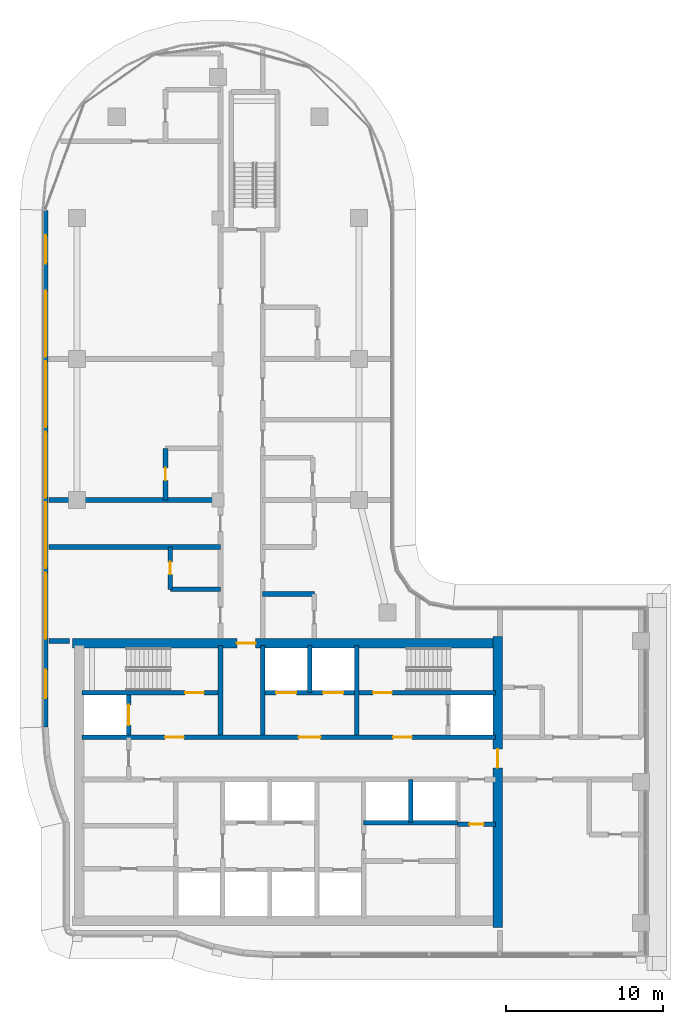
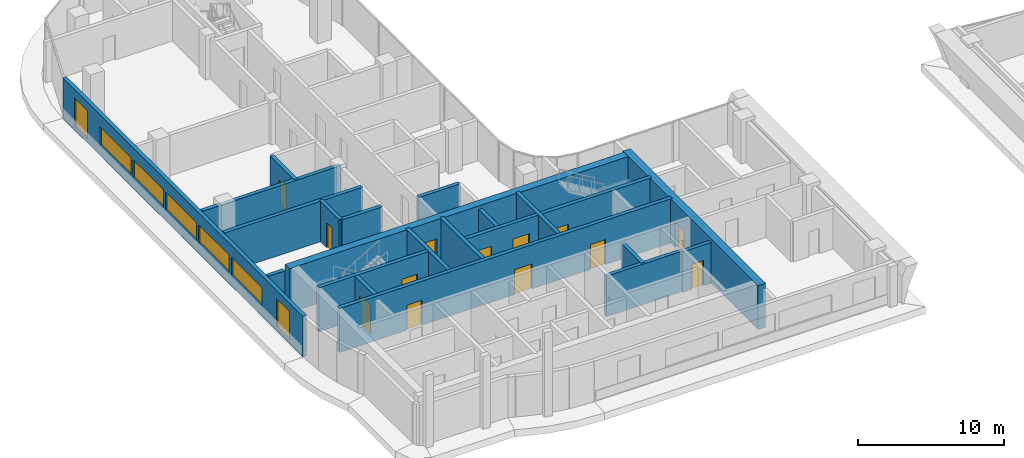
# One storey, part 11 of 26: 21 walls, 13 doors, 7 windows, 20 openings.
"""IFC4 building model written with IfcOpenShell, lengths in metres."""

from ifc_helpers import new_model, si_unit, direction, frame, frame_2d, origin, place, context, subcontext, project, spatial, rectangle, extrude, material, layer, layer_set, type_object, element, fill, save


model = new_model("IFC4")

# Units and contexts
model_context = context("Model", 3, precision=1e-05, world=origin(), true_north=direction((0.0, 1.0)))
body_context = subcontext(model_context, "Body", "Model", "MODEL_VIEW")
ifc_project = project(units=[si_unit("LENGTHUNIT", "METRE"), si_unit("AREAUNIT", "SQUARE_METRE"), si_unit("VOLUMEUNIT", "CUBIC_METRE"), si_unit("PLANEANGLEUNIT", "RADIAN"), si_unit("MASSUNIT", "GRAM", prefix="KILO")], contexts=[model_context])

# Site, building, storey
site_placement = place(None, origin())
site = spatial("IfcSite", under=ifc_project, at=site_placement, CompositionType="ELEMENT")
building_placement = place(site_placement, origin())
building = spatial("IfcBuilding", under=site, at=building_placement, Name="Ogive Portal Towers", CompositionType="ELEMENT")
storey_placement = place(building_placement, frame((0.0, 0.0, 171.800048828125)))
storey = spatial("IfcBuildingStorey", under=building, at=storey_placement, Name="L42", CompositionType="ELEMENT", Elevation=171.800048828125)

# Wall, openings, doors
ifc_material_1 = material(Name="Concrete C60/75", Category="concrete")
ifc_layer_1 = layer(ifc_material_1, 0.300048828125)
ifc_layer_set_1 = layer_set([ifc_layer_1], Name="CORE WALL 300 C60")
wall_type_1 = type_object("IfcWallType", Name="CORE WALL 300 C60", PredefinedType="SHEAR", material=ifc_layer_set_1)
wall_1_placement = place(storey_placement, frame((31.800048828125, 33.35009765625, 0.0), z_axis=(0.0, 0.0, 1.0), x_axis=(1.0, 0.0, 0.0)))
wall_1 = element("IfcWall", 1, at=wall_1_placement, inside=storey, type_object=wall_type_1, Name="Core wall Y2 L42", PredefinedType="SHEAR", context=body_context, shape_type="SweptSolid", body=[
    extrude(rectangle(XDim=26.39990234375, YDim=0.300048828125, at=frame_2d((13.199951171875, 0.0))), origin(), (0.0, 0.0, 1.0), 3.699951171875),
])
opening_1_placement = place(wall_1_placement, frame((13.85009765625, 0.0, 0.0)))
opening_1 = element("IfcOpeningElement", 2, at=opening_1_placement, cuts=wall_1, Name="Opening D17-002", PredefinedType="OPENING", context=body_context, shape_type="SweptSolid", body=[
    extrude(rectangle(XDim=1.39990234375, YDim=2.10009765625, at=frame_2d((0.699951171875, 1.050048828125))), frame((0.0, 0.16015625, 0.0), z_axis=(0.0, -1.0, 0.0), x_axis=(1.0, 0.0, 0.0)), (0.0, 0.0, 1.0), 0.320068359375),
])
opening_2_placement = place(wall_1_placement, frame((5.324951171875, 0.0, 0.0)))
opening_2 = element("IfcOpeningElement", 3, at=opening_2_placement, cuts=wall_1, Name="Opening D17-003", PredefinedType="OPENING", context=body_context, shape_type="SweptSolid", body=[
    extrude(rectangle(XDim=1.199951171875, YDim=2.10009765625, at=frame_2d((0.60009765625, 1.050048828125))), frame((0.0, 0.16015625, 0.0), z_axis=(0.0, -1.0, 0.0), x_axis=(1.0, 0.0, 0.0)), (0.0, 0.0, 1.0), 0.320068359375),
])
opening_3_placement = place(wall_1_placement, frame((19.875, 0.0, 0.0)))
opening_3 = element("IfcOpeningElement", 4, at=opening_3_placement, cuts=wall_1, Name="Opening D17-004", PredefinedType="OPENING", context=body_context, shape_type="SweptSolid", body=[
    extrude(rectangle(XDim=1.199951171875, YDim=2.10009765625, at=frame_2d((0.60009765625, 1.050048828125))), frame((0.0, 0.16015625, 0.0), z_axis=(0.0, -1.0, 0.0), x_axis=(1.0, 0.0, 0.0)), (0.0, 0.0, 1.0), 0.320068359375),
])
ifc_material_2 = material(Name="Steel fire door", Category="steel")
door_type_1 = type_object("IfcDoorType", Name="DT-SWING-1200x2100-FD90S", OperationType="SINGLE_SWING_LEFT", PredefinedType="DOOR", material=ifc_material_2)
door_1_placement = place(opening_2_placement, origin())
door_1 = element("IfcDoor", 5, at=door_1_placement, inside=storey, type_object=door_type_1, Name="Door D17-003", OperationType="SINGLE_SWING_LEFT", OverallHeight=2.10009765625, OverallWidth=1.199951171875, PredefinedType="DOOR", context=body_context, shape_type="SweptSolid", body=[
    extrude(rectangle(XDim=1.199951171875, YDim=2.10009765625, at=frame_2d((0.60009765625, 1.050048828125))), frame((0.0, 0.02490234375, 0.0), z_axis=(0.0, -1.0, 0.0), x_axis=(1.0, 0.0, 0.0)), (0.0, 0.0, 1.0), 0.050048828125),
])
fill(opening_2, door_1)
door_2_placement = place(opening_3_placement, origin())
door_2 = element("IfcDoor", 6, at=door_2_placement, inside=storey, type_object=door_type_1, Name="Door D17-004", OperationType="SINGLE_SWING_RIGHT", OverallHeight=2.10009765625, OverallWidth=1.199951171875, PredefinedType="DOOR", context=body_context, shape_type="SweptSolid", body=[
    extrude(rectangle(XDim=1.199951171875, YDim=2.10009765625, at=frame_2d((0.60009765625, 1.050048828125))), frame((0.0, 0.02490234375, 0.0), z_axis=(0.0, -1.0, 0.0), x_axis=(1.0, 0.0, 0.0)), (0.0, 0.0, 1.0), 0.050048828125),
])
fill(opening_3, door_2)
door_type_2 = type_object("IfcDoorType", Name="DT-SWING-1400x2100-FD90S", OperationType="SINGLE_SWING_LEFT", PredefinedType="DOOR", material=ifc_material_2)
door_3_placement = place(opening_1_placement, origin())
door_3 = element("IfcDoor", 7, at=door_3_placement, inside=storey, type_object=door_type_2, Name="Door D17-002", OperationType="SINGLE_SWING_RIGHT", OverallHeight=2.10009765625, OverallWidth=1.39990234375, PredefinedType="DOOR", context=body_context, shape_type="SweptSolid", body=[
    extrude(rectangle(XDim=1.39990234375, YDim=2.10009765625, at=frame_2d((0.699951171875, 1.050048828125))), frame((0.0, 0.02490234375, 0.0), z_axis=(0.0, -1.0, 0.0), x_axis=(1.0, 0.0, 0.0)), (0.0, 0.0, 1.0), 0.050048828125),
])
fill(opening_1, door_3)

# Wall, opening, door
wall_2_placement = place(storey_placement, frame((31.800048828125, 36.199951171875, 0.0), z_axis=(0.0, 0.0, 1.0), x_axis=(1.0, 0.0, 0.0)))
wall_2 = element("IfcWall", 8, at=wall_2_placement, inside=storey, type_object=wall_type_1, Name="Core wall Y3a L42", PredefinedType="SHEAR", context=body_context, shape_type="SweptSolid", body=[
    extrude(rectangle(XDim=8.699951171875, YDim=0.300048828125, at=frame_2d((4.35009765625, 0.0))), origin(), (0.0, 0.0, 1.0), 3.699951171875),
])
opening_4_placement = place(wall_2_placement, frame((6.60009765625, 0.0, 0.0)))
opening_4 = element("IfcOpeningElement", 9, at=opening_4_placement, cuts=wall_2, Name="Opening D17-005", PredefinedType="OPENING", context=body_context, shape_type="SweptSolid", body=[
    extrude(rectangle(XDim=1.199951171875, YDim=2.10009765625, at=frame_2d((0.60009765625, 1.050048828125))), frame((0.0, 0.16015625, 0.0), z_axis=(0.0, -1.0, 0.0), x_axis=(1.0, 0.0, 0.0)), (0.0, 0.0, 1.0), 0.320068359375),
])
door_4_placement = place(opening_4_placement, origin())
door_4 = element("IfcDoor", 10, at=door_4_placement, inside=storey, type_object=door_type_1, Name="Door D17-005", OperationType="SINGLE_SWING_RIGHT", OverallHeight=2.10009765625, OverallWidth=1.199951171875, PredefinedType="DOOR", context=body_context, shape_type="SweptSolid", body=[
    extrude(rectangle(XDim=1.199951171875, YDim=2.10009765625, at=frame_2d((0.60009765625, 1.050048828125))), frame((0.0, 0.02490234375, 0.0), z_axis=(0.0, -1.0, 0.0), x_axis=(1.0, 0.0, 0.0)), (0.0, 0.0, 1.0), 0.050048828125),
])
fill(opening_4, door_4)

# Wall, openings, doors
wall_3_placement = place(storey_placement, frame((43.5, 36.199951171875, 0.0), z_axis=(0.0, 0.0, 1.0), x_axis=(1.0, 0.0, 0.0)))
wall_3 = element("IfcWall", 11, at=wall_3_placement, inside=storey, type_object=wall_type_1, Name="Core wall Y3b L42", PredefinedType="SHEAR", context=body_context, shape_type="SweptSolid", body=[
    extrude(rectangle(XDim=14.699951171875, YDim=0.300048828125, at=frame_2d((7.35009765625, 0.0))), origin(), (0.0, 0.0, 1.0), 3.699951171875),
])
opening_5_placement = place(wall_3_placement, frame((6.89990234375, 0.0, 0.0)))
opening_5 = element("IfcOpeningElement", 12, at=opening_5_placement, cuts=wall_3, Name="Opening D17-006", PredefinedType="OPENING", context=body_context, shape_type="SweptSolid", body=[
    extrude(rectangle(XDim=1.199951171875, YDim=2.10009765625, at=frame_2d((0.60009765625, 1.050048828125))), frame((0.0, 0.16015625, 0.0), z_axis=(0.0, -1.0, 0.0), x_axis=(1.0, 0.0, 0.0)), (0.0, 0.0, 1.0), 0.320068359375),
])
opening_6_placement = place(wall_3_placement, frame((0.699951171875, 0.0, 0.0)))
opening_6 = element("IfcOpeningElement", 13, at=opening_6_placement, cuts=wall_3, Name="Opening D17-017", PredefinedType="OPENING", context=body_context, shape_type="SweptSolid", body=[
    extrude(rectangle(XDim=1.300048828125, YDim=2.39990234375, at=frame_2d((0.64990234375, 1.199951171875))), frame((0.0, 0.16015625, 0.0), z_axis=(0.0, -1.0, 0.0), x_axis=(1.0, 0.0, 0.0)), (0.0, 0.0, 1.0), 0.320068359375),
])
opening_7_placement = place(wall_3_placement, frame((3.699951171875, 0.0, 0.0)))
opening_7 = element("IfcOpeningElement", 14, at=opening_7_placement, cuts=wall_3, Name="Opening D17-018", PredefinedType="OPENING", context=body_context, shape_type="SweptSolid", body=[
    extrude(rectangle(XDim=1.300048828125, YDim=2.39990234375, at=frame_2d((0.64990234375, 1.199951171875))), frame((0.0, 0.16015625, 0.0), z_axis=(0.0, -1.0, 0.0), x_axis=(1.0, 0.0, 0.0)), (0.0, 0.0, 1.0), 0.320068359375),
])
ifc_material_3 = material(Name="Stainless steel", Category="steel")
door_type_3 = type_object("IfcDoorType", Name="DT-LD-1300x2400", OperationType="SLIDING_TO_LEFT", PredefinedType="DOOR", material=ifc_material_3)
door_5_placement = place(opening_6_placement, origin())
door_5 = element("IfcDoor", 15, at=door_5_placement, inside=storey, type_object=door_type_3, Name="Door D17-017", OperationType="SLIDING_TO_LEFT", OverallHeight=2.39990234375, OverallWidth=1.300048828125, PredefinedType="DOOR", context=body_context, shape_type="SweptSolid", body=[
    extrude(rectangle(XDim=1.300048828125, YDim=2.39990234375, at=frame_2d((0.64990234375, 1.199951171875))), frame((0.0, 0.02490234375, 0.0), z_axis=(0.0, -1.0, 0.0), x_axis=(1.0, 0.0, 0.0)), (0.0, 0.0, 1.0), 0.050048828125),
])
fill(opening_6, door_5)
door_6_placement = place(opening_7_placement, origin())
door_6 = element("IfcDoor", 16, at=door_6_placement, inside=storey, type_object=door_type_3, Name="Door D17-018", OperationType="SLIDING_TO_LEFT", OverallHeight=2.39990234375, OverallWidth=1.300048828125, PredefinedType="DOOR", context=body_context, shape_type="SweptSolid", body=[
    extrude(rectangle(XDim=1.300048828125, YDim=2.39990234375, at=frame_2d((0.64990234375, 1.199951171875))), frame((0.0, 0.02490234375, 0.0), z_axis=(0.0, -1.0, 0.0), x_axis=(1.0, 0.0, 0.0)), (0.0, 0.0, 1.0), 0.050048828125),
])
fill(opening_7, door_6)
door_7_placement = place(opening_5_placement, origin())
door_7 = element("IfcDoor", 17, at=door_7_placement, inside=storey, type_object=door_type_1, Name="Door D17-006", OperationType="SINGLE_SWING_LEFT", OverallHeight=2.10009765625, OverallWidth=1.199951171875, PredefinedType="DOOR", context=body_context, shape_type="SweptSolid", body=[
    extrude(rectangle(XDim=1.199951171875, YDim=2.10009765625, at=frame_2d((0.60009765625, 1.050048828125))), frame((0.0, 0.02490234375, 0.0), z_axis=(0.0, -1.0, 0.0), x_axis=(1.0, 0.0, 0.0)), (0.0, 0.0, 1.0), 0.050048828125),
])
fill(opening_5, door_7)

# Walls
for number, where, z_axis, x_axis, name in (
    (18, (40.64990234375, 33.5, 0.0), (0.0, 0.0, 1.0), (0.0, 1.0, 0.0), "Core wall X6 L42"),
    (19, (43.35009765625, 33.5, 0.0), (0.0, 0.0, 1.0), (0.0, 1.0, 0.0), "Core wall X7 L42"),
):
    element("IfcWall", number, at=place(storey_placement, frame(where, z_axis=z_axis, x_axis=x_axis)), inside=storey, type_object=wall_type_1, Name=name, PredefinedType="SHEAR", context=body_context, shape_type="SweptSolid", body=[
        extrude(rectangle(XDim=5.699951171875, YDim=0.300048828125, at=frame_2d((2.85009765625, 0.0))), origin(), (0.0, 0.0, 1.0), 3.699951171875),
    ])

# Wall, opening, door
wall_4_placement = place(storey_placement, frame((34.800048828125, 33.5, 0.0), z_axis=(0.0, 0.0, 1.0), x_axis=(0.0, 1.0, 0.0)))
wall_4 = element("IfcWall", 20, at=wall_4_placement, inside=storey, type_object=wall_type_1, Name="Core wall X8 L42", PredefinedType="SHEAR", context=body_context, shape_type="SweptSolid", body=[
    extrude(rectangle(XDim=2.550048828125, YDim=0.300048828125, at=frame_2d((1.27490234375, 0.0))), origin(), (0.0, 0.0, 1.0), 3.699951171875),
])
opening_8_placement = place(wall_4_placement, frame((0.625, 0.0, 0.0)))
opening_8 = element("IfcOpeningElement", 21, at=opening_8_placement, cuts=wall_4, Name="Opening D17-019", PredefinedType="OPENING", context=body_context, shape_type="SweptSolid", body=[
    extrude(rectangle(XDim=1.300048828125, YDim=2.39990234375, at=frame_2d((0.64990234375, 1.199951171875))), frame((0.0, 0.16015625, 0.0), z_axis=(0.0, -1.0, 0.0), x_axis=(1.0, 0.0, 0.0)), (0.0, 0.0, 1.0), 0.320068359375),
])
door_8_placement = place(opening_8_placement, origin())
door_8 = element("IfcDoor", 22, at=door_8_placement, inside=storey, type_object=door_type_3, Name="Door D17-019", OperationType="SLIDING_TO_LEFT", OverallHeight=2.39990234375, OverallWidth=1.300048828125, PredefinedType="DOOR", context=body_context, shape_type="SweptSolid", body=[
    extrude(rectangle(XDim=1.300048828125, YDim=2.39990234375, at=frame_2d((0.64990234375, 1.199951171875))), frame((0.0, 0.02490234375, 0.0), z_axis=(0.0, -1.0, 0.0), x_axis=(1.0, 0.0, 0.0)), (0.0, 0.0, 1.0), 0.050048828125),
])
fill(opening_8, door_8)

# Wall
wall_5_placement = place(storey_placement, frame((49.35009765625, 33.5, 0.0), z_axis=(0.0, 0.0, 1.0), x_axis=(0.0, 1.0, 0.0)))
element("IfcWall", 23, at=wall_5_placement, inside=storey, type_object=wall_type_1, Name="Core wall X9 L42", PredefinedType="SHEAR", context=body_context, shape_type="SweptSolid", body=[
    extrude(rectangle(XDim=5.699951171875, YDim=0.300048828125, at=frame_2d((2.85009765625, 0.0))), origin(), (0.0, 0.0, 1.0), 3.699951171875),
])

# Wall, opening, door
ifc_layer_2 = layer(ifc_material_1, 0.60009765625)
ifc_layer_set_2 = layer_set([ifc_layer_2], Name="CORE WALL 600 C60")
wall_type_2 = type_object("IfcWallType", Name="CORE WALL 600 C60", PredefinedType="SHEAR", material=ifc_layer_set_2)
wall_6_placement = place(storey_placement, frame((58.35009765625, 21.199951171875, 0.0), z_axis=(0.0, 0.0, 1.0), x_axis=(0.0, 1.0, 0.0)))
wall_6 = element("IfcWall", 24, at=wall_6_placement, inside=storey, type_object=wall_type_2, Name="Core wall E L42", PredefinedType="SHEAR", context=body_context, shape_type="SweptSolid", body=[
    extrude(rectangle(XDim=18.60009765625, YDim=0.60009765625, at=frame_2d((9.300048828125, 0.0))), origin(), (0.0, 0.0, 1.0), 3.699951171875),
])
opening_9_placement = place(wall_6_placement, frame((10.199951171875, 0.0, 0.0)))
opening_9 = element("IfcOpeningElement", 25, at=opening_9_placement, cuts=wall_6, Name="Opening D17-011", PredefinedType="OPENING", context=body_context, shape_type="SweptSolid", body=[
    extrude(rectangle(XDim=1.199951171875, YDim=2.10009765625, at=frame_2d((0.60009765625, 1.050048828125))), frame((0.0, 0.31005859375, 0.0), z_axis=(0.0, -1.0, 0.0), x_axis=(1.0, 0.0, 0.0)), (0.0, 0.0, 1.0), 0.6201171875),
])
door_9_placement = place(opening_9_placement, origin())
door_9 = element("IfcDoor", 26, at=door_9_placement, inside=storey, type_object=door_type_1, Name="Door D17-011", OperationType="SINGLE_SWING_LEFT", OverallHeight=2.10009765625, OverallWidth=1.199951171875, PredefinedType="DOOR", context=body_context, shape_type="SweptSolid", body=[
    extrude(rectangle(XDim=1.199951171875, YDim=2.10009765625, at=frame_2d((0.60009765625, 1.050048828125))), frame((0.0, 0.02490234375, 0.0), z_axis=(0.0, -1.0, 0.0), x_axis=(1.0, 0.0, 0.0)), (0.0, 0.0, 1.0), 0.050048828125),
])
fill(opening_9, door_9)

wall_7_placement = place(storey_placement, frame((31.199951171875, 39.35009765625, 0.0), z_axis=(0.0, 0.0, 1.0), x_axis=(1.0, 0.0, 0.0)))
wall_7 = element("IfcWall", 27, at=wall_7_placement, inside=storey, type_object=wall_type_2, Name="Core wall N L42", PredefinedType="SHEAR", context=body_context, shape_type="SweptSolid", body=[
    extrude(rectangle(XDim=27.0, YDim=0.60009765625, at=frame_2d((13.5, 0.0))), origin(), (0.0, 0.0, 1.0), 3.699951171875),
])
opening_10_placement = place(wall_7_placement, frame((10.5, 0.0, 0.0)))
opening_10 = element("IfcOpeningElement", 28, at=opening_10_placement, cuts=wall_7, Name="Opening D17-012", PredefinedType="OPENING", context=body_context, shape_type="SweptSolid", body=[
    extrude(rectangle(XDim=1.199951171875, YDim=2.10009765625, at=frame_2d((0.60009765625, 1.050048828125))), frame((0.0, 0.31005859375, 0.0), z_axis=(0.0, -1.0, 0.0), x_axis=(1.0, 0.0, 0.0)), (0.0, 0.0, 1.0), 0.6201171875),
])
door_10_placement = place(opening_10_placement, origin())
door_10 = element("IfcDoor", 29, at=door_10_placement, inside=storey, type_object=door_type_1, Name="Door D17-012", OperationType="SINGLE_SWING_RIGHT", OverallHeight=2.10009765625, OverallWidth=1.199951171875, PredefinedType="DOOR", context=body_context, shape_type="SweptSolid", body=[
    extrude(rectangle(XDim=1.199951171875, YDim=2.10009765625, at=frame_2d((0.60009765625, 1.050048828125))), frame((0.0, 0.02490234375, 0.0), z_axis=(0.0, -1.0, 0.0), x_axis=(1.0, 0.0, 0.0)), (0.0, 0.0, 1.0), 0.050048828125),
])
fill(opening_10, door_10)

# Wall, openings, windows
ifc_material_4 = material(Name="Limestone cladding on lightweight block wall", Category="masonry")
ifc_layer_3 = layer(ifc_material_4, 0.300048828125)
ifc_layer_set_3 = layer_set([ifc_layer_3], Name="EXTERNAL WALL 300 STONE")
wall_type_3 = type_object("IfcWallType", Name="EXTERNAL WALL 300 STONE", PredefinedType="SOLIDWALL", material=ifc_layer_set_3)
wall_8_placement = place(storey_placement, frame((29.5048828125, 66.98583984375, 0.0), z_axis=(0.0, 0.0, 1.0), x_axis=(0.0, -1.0, 0.0)))
wall_8 = element("IfcWall", 30, at=wall_8_placement, inside=storey, type_object=wall_type_3, Name="A:L42:f22:r0:wall", PredefinedType="SOLIDWALL", context=body_context, shape_type="SweptSolid", body=[
    extrude(rectangle(XDim=32.97607421875, YDim=0.300048828125, at=frame_2d((16.488037109375, 0.0))), origin(), (0.0, 0.0, 1.0), 3.39990234375),
])
opening_11_placement = place(wall_8_placement, frame((1.593017578125, 0.0, 0.300048828125)))
opening_11 = element("IfcOpeningElement", 31, at=opening_11_placement, cuts=wall_8, Name="Opening WN10", PredefinedType="OPENING", context=body_context, shape_type="SweptSolid", body=[
    extrude(rectangle(XDim=1.800048828125, YDim=2.39990234375, at=frame_2d((0.89990234375, 1.199951171875))), frame((0.0, 0.16015625, 0.0), z_axis=(0.0, -1.0, 0.0), x_axis=(1.0, 0.0, 0.0)), (0.0, 0.0, 1.0), 0.320068359375),
])
opening_12_placement = place(wall_8_placement, frame((5.135986328125, 0.0, 0.89990234375)))
opening_12 = element("IfcOpeningElement", 32, at=opening_12_placement, cuts=wall_8, Name="Opening WN11", PredefinedType="OPENING", context=body_context, shape_type="SweptSolid", body=[
    extrude(rectangle(XDim=4.199951171875, YDim=1.5, at=frame_2d((2.10009765625, 0.75))), frame((0.0, 0.16015625, 0.0), z_axis=(0.0, -1.0, 0.0), x_axis=(1.0, 0.0, 0.0)), (0.0, 0.0, 1.0), 0.320068359375),
])
opening_13_placement = place(wall_8_placement, frame((9.635986328125, 0.0, 0.89990234375)))
opening_13 = element("IfcOpeningElement", 33, at=opening_13_placement, cuts=wall_8, Name="Opening WN11", PredefinedType="OPENING", context=body_context, shape_type="SweptSolid", body=[
    extrude(rectangle(XDim=4.199951171875, YDim=1.5, at=frame_2d((2.10009765625, 0.75))), frame((0.0, 0.16015625, 0.0), z_axis=(0.0, -1.0, 0.0), x_axis=(1.0, 0.0, 0.0)), (0.0, 0.0, 1.0), 0.320068359375),
])
opening_14_placement = place(wall_8_placement, frame((14.135986328125, 0.0, 0.89990234375)))
opening_14 = element("IfcOpeningElement", 34, at=opening_14_placement, cuts=wall_8, Name="Opening WN11", PredefinedType="OPENING", context=body_context, shape_type="SweptSolid", body=[
    extrude(rectangle(XDim=4.199951171875, YDim=1.5, at=frame_2d((2.10009765625, 0.75))), frame((0.0, 0.16015625, 0.0), z_axis=(0.0, -1.0, 0.0), x_axis=(1.0, 0.0, 0.0)), (0.0, 0.0, 1.0), 0.320068359375),
])
opening_15_placement = place(wall_8_placement, frame((18.635986328125, 0.0, 0.89990234375)))
opening_15 = element("IfcOpeningElement", 35, at=opening_15_placement, cuts=wall_8, Name="Opening WN11", PredefinedType="OPENING", context=body_context, shape_type="SweptSolid", body=[
    extrude(rectangle(XDim=4.199951171875, YDim=1.5, at=frame_2d((2.10009765625, 0.75))), frame((0.0, 0.16015625, 0.0), z_axis=(0.0, -1.0, 0.0), x_axis=(1.0, 0.0, 0.0)), (0.0, 0.0, 1.0), 0.320068359375),
])
opening_16_placement = place(wall_8_placement, frame((23.135986328125, 0.0, 0.89990234375)))
opening_16 = element("IfcOpeningElement", 36, at=opening_16_placement, cuts=wall_8, Name="Opening WN11", PredefinedType="OPENING", context=body_context, shape_type="SweptSolid", body=[
    extrude(rectangle(XDim=4.199951171875, YDim=1.5, at=frame_2d((2.10009765625, 0.75))), frame((0.0, 0.16015625, 0.0), z_axis=(0.0, -1.0, 0.0), x_axis=(1.0, 0.0, 0.0)), (0.0, 0.0, 1.0), 0.320068359375),
])
opening_17_placement = place(wall_8_placement, frame((29.3310546875, 0.0, 0.300048828125)))
opening_17 = element("IfcOpeningElement", 37, at=opening_17_placement, cuts=wall_8, Name="Opening WN10", PredefinedType="OPENING", context=body_context, shape_type="SweptSolid", body=[
    extrude(rectangle(XDim=1.800048828125, YDim=2.39990234375, at=frame_2d((0.89990234375, 1.199951171875))), frame((0.0, 0.16015625, 0.0), z_axis=(0.0, -1.0, 0.0), x_axis=(1.0, 0.0, 0.0)), (0.0, 0.0, 1.0), 0.320068359375),
])
ifc_material_5 = material(Name="Glass, clear low-iron insulated glazing", Category="glass")
window_type_1 = type_object("IfcWindowType", Name="WINDOW RIBBON 4200x1500", PartitioningType="TRIPLE_PANEL_VERTICAL", PredefinedType="WINDOW", material=ifc_material_5)
window_1_placement = place(opening_12_placement, origin())
window_1 = element("IfcWindow", 38, at=window_1_placement, inside=storey, type_object=window_type_1, Name="A:L42:f22:r0:w1", OverallHeight=1.5, OverallWidth=4.199951171875, PartitioningType="SINGLE_PANEL", PredefinedType="WINDOW", context=body_context, shape_type="SweptSolid", body=[
    extrude(rectangle(XDim=4.199951171875, YDim=1.5, at=frame_2d((2.10009765625, 0.75))), frame((0.0, 0.030029296875, 0.0), z_axis=(0.0, -1.0, 0.0), x_axis=(1.0, 0.0, 0.0)), (0.0, 0.0, 1.0), 0.06005859375),
])
fill(opening_12, window_1)
window_2_placement = place(opening_13_placement, origin())
window_2 = element("IfcWindow", 39, at=window_2_placement, inside=storey, type_object=window_type_1, Name="A:L42:f22:r0:w2", OverallHeight=1.5, OverallWidth=4.199951171875, PartitioningType="SINGLE_PANEL", PredefinedType="WINDOW", context=body_context, shape_type="SweptSolid", body=[
    extrude(rectangle(XDim=4.199951171875, YDim=1.5, at=frame_2d((2.10009765625, 0.75))), frame((0.0, 0.030029296875, 0.0), z_axis=(0.0, -1.0, 0.0), x_axis=(1.0, 0.0, 0.0)), (0.0, 0.0, 1.0), 0.06005859375),
])
fill(opening_13, window_2)
window_3_placement = place(opening_14_placement, origin())
window_3 = element("IfcWindow", 40, at=window_3_placement, inside=storey, type_object=window_type_1, Name="A:L42:f22:r0:w3", OverallHeight=1.5, OverallWidth=4.199951171875, PartitioningType="SINGLE_PANEL", PredefinedType="WINDOW", context=body_context, shape_type="SweptSolid", body=[
    extrude(rectangle(XDim=4.199951171875, YDim=1.5, at=frame_2d((2.10009765625, 0.75))), frame((0.0, 0.030029296875, 0.0), z_axis=(0.0, -1.0, 0.0), x_axis=(1.0, 0.0, 0.0)), (0.0, 0.0, 1.0), 0.06005859375),
])
fill(opening_14, window_3)
window_4_placement = place(opening_15_placement, origin())
window_4 = element("IfcWindow", 41, at=window_4_placement, inside=storey, type_object=window_type_1, Name="A:L42:f22:r0:w4", OverallHeight=1.5, OverallWidth=4.199951171875, PartitioningType="SINGLE_PANEL", PredefinedType="WINDOW", context=body_context, shape_type="SweptSolid", body=[
    extrude(rectangle(XDim=4.199951171875, YDim=1.5, at=frame_2d((2.10009765625, 0.75))), frame((0.0, 0.030029296875, 0.0), z_axis=(0.0, -1.0, 0.0), x_axis=(1.0, 0.0, 0.0)), (0.0, 0.0, 1.0), 0.06005859375),
])
fill(opening_15, window_4)
window_5_placement = place(opening_16_placement, origin())
window_5 = element("IfcWindow", 42, at=window_5_placement, inside=storey, type_object=window_type_1, Name="A:L42:f22:r0:w5", OverallHeight=1.5, OverallWidth=4.199951171875, PartitioningType="SINGLE_PANEL", PredefinedType="WINDOW", context=body_context, shape_type="SweptSolid", body=[
    extrude(rectangle(XDim=4.199951171875, YDim=1.5, at=frame_2d((2.10009765625, 0.75))), frame((0.0, 0.030029296875, 0.0), z_axis=(0.0, -1.0, 0.0), x_axis=(1.0, 0.0, 0.0)), (0.0, 0.0, 1.0), 0.06005859375),
])
fill(opening_16, window_5)
window_type_2 = type_object("IfcWindowType", Name="WINDOW SUITE CORNER 1800x2400", PartitioningType="DOUBLE_PANEL_VERTICAL", PredefinedType="WINDOW", material=ifc_material_5)
window_6_placement = place(opening_11_placement, origin())
window_6 = element("IfcWindow", 43, at=window_6_placement, inside=storey, type_object=window_type_2, Name="A:L42:f22:r0:w0", OverallHeight=2.39990234375, OverallWidth=1.800048828125, PartitioningType="SINGLE_PANEL", PredefinedType="WINDOW", context=body_context, shape_type="SweptSolid", body=[
    extrude(rectangle(XDim=1.800048828125, YDim=2.39990234375, at=frame_2d((0.89990234375, 1.199951171875))), frame((0.0, 0.030029296875, 0.0), z_axis=(0.0, -1.0, 0.0), x_axis=(1.0, 0.0, 0.0)), (0.0, 0.0, 1.0), 0.06005859375),
])
fill(opening_11, window_6)
window_7_placement = place(opening_17_placement, origin())
window_7 = element("IfcWindow", 44, at=window_7_placement, inside=storey, type_object=window_type_2, Name="A:L42:f22:r0:w6", OverallHeight=2.39990234375, OverallWidth=1.800048828125, PartitioningType="SINGLE_PANEL", PredefinedType="WINDOW", context=body_context, shape_type="SweptSolid", body=[
    extrude(rectangle(XDim=1.800048828125, YDim=2.39990234375, at=frame_2d((0.89990234375, 1.199951171875))), frame((0.0, 0.030029296875, 0.0), z_axis=(0.0, -1.0, 0.0), x_axis=(1.0, 0.0, 0.0)), (0.0, 0.0, 1.0), 0.06005859375),
])
fill(opening_17, window_7)

# Wall, opening, door
ifc_material_6 = material(Name="Gypsum board partition on steel studs", Category="steel")
ifc_layer_4 = layer(ifc_material_6, 0.300048828125)
ifc_layer_set_4 = layer_set([ifc_layer_4], Name="WT-PART-300")
wall_type_4 = type_object("IfcWallType", Name="WT-PART-300", PredefinedType="PARTITIONING", material=ifc_layer_set_4)
wall_9_placement = place(storey_placement, frame((55.800048828125, 27.800048828125, 0.0), z_axis=(0.0, 0.0, 1.0), x_axis=(1.0, 0.0, 0.0)))
wall_9 = element("IfcWall", 45, at=wall_9_placement, inside=storey, type_object=wall_type_4, Name="Wall pw:005:L42", PredefinedType="PARTITIONING", context=body_context, shape_type="SweptSolid", body=[
    extrude(rectangle(XDim=2.39990234375, YDim=0.300048828125, at=frame_2d((1.199951171875, 0.0))), origin(), (0.0, 0.0, 1.0), 3.39990234375),
])
opening_18_placement = place(wall_9_placement, frame((0.75, 0.0, 0.0)))
opening_18 = element("IfcOpeningElement", 46, at=opening_18_placement, cuts=wall_9, Name="Opening D17-010", PredefinedType="OPENING", context=body_context, shape_type="SweptSolid", body=[
    extrude(rectangle(XDim=0.89990234375, YDim=2.10009765625, at=frame_2d((0.449951171875, 1.050048828125))), frame((0.0, 0.16015625, 0.0), z_axis=(0.0, -1.0, 0.0), x_axis=(1.0, 0.0, 0.0)), (0.0, 0.0, 1.0), 0.320068359375),
])
door_type_4 = type_object("IfcDoorType", Name="DT-SWING-900x2100-FD60S", OperationType="SINGLE_SWING_LEFT", PredefinedType="DOOR", material=ifc_material_2)
door_11_placement = place(opening_18_placement, origin())
door_11 = element("IfcDoor", 47, at=door_11_placement, inside=storey, type_object=door_type_4, Name="Door D17-010", OperationType="SINGLE_SWING_RIGHT", OverallHeight=2.10009765625, OverallWidth=0.89990234375, PredefinedType="DOOR", context=body_context, shape_type="SweptSolid", body=[
    extrude(rectangle(XDim=0.89990234375, YDim=2.10009765625, at=frame_2d((0.449951171875, 1.050048828125))), frame((0.0, 0.02490234375, 0.0), z_axis=(0.0, -1.0, 0.0), x_axis=(1.0, 0.0, 0.0)), (0.0, 0.0, 1.0), 0.050048828125),
])
fill(opening_18, door_11)

# Walls
ifc_layer_5 = layer(ifc_material_6, 0.300048828125)
ifc_layer_set_5 = layer_set([ifc_layer_5], Name="WT-PART-300-EI 60")
wall_type_5 = type_object("IfcWallType", Name="WT-PART-300-EI 60", PredefinedType="PARTITIONING", material=ifc_layer_set_5)
wall_10_placement = place(storey_placement, frame((29.705078125, 39.5, 0.0), z_axis=(0.0, 0.0, 1.0), x_axis=(1.0, 0.0, 0.0)))
element("IfcWall", 48, at=wall_10_placement, inside=storey, type_object=wall_type_5, Name="Wall L42:w008", PredefinedType="PARTITIONING", context=body_context, shape_type="SweptSolid", body=[
    extrude(rectangle(XDim=1.324951171875, YDim=0.300048828125, at=frame_2d((0.66259765625, 0.0))), origin(), (0.0, 0.0, 1.0), 3.39990234375),
])
wall_11_placement = place(storey_placement, frame((43.35009765625, 42.5, 0.0), z_axis=(0.0, 0.0, 1.0), x_axis=(1.0, 0.0, 0.0)))
element("IfcWall", 49, at=wall_11_placement, inside=storey, type_object=wall_type_5, Name="Wall L42:w010", PredefinedType="PARTITIONING", context=body_context, shape_type="SweptSolid", body=[
    extrude(rectangle(XDim=3.2998046875, YDim=0.300048828125, at=frame_2d((1.64990234375, 0.0))), origin(), (0.0, 0.0, 1.0), 3.39990234375),
])
wall_12_placement = place(storey_placement, frame((37.449951171875, 42.800048828125, 0.0), z_axis=(0.0, 0.0, 1.0), x_axis=(1.0, 0.0, 0.0)))
element("IfcWall", 50, at=wall_12_placement, inside=storey, type_object=wall_type_5, Name="Wall L42:w011", PredefinedType="PARTITIONING", context=body_context, shape_type="SweptSolid", body=[
    extrude(rectangle(XDim=3.199951171875, YDim=0.300048828125, at=frame_2d((1.60009765625, 0.0))), origin(), (0.0, 0.0, 1.0), 3.39990234375),
])
for number, where, z_axis, x_axis, name in (
    (51, (29.705078125, 45.5, 0.0), (0.0, 0.0, 1.0), (1.0, 0.0, 0.0), "Wall L42:w012"),
    (52, (29.705078125, 48.5, 0.0), (0.0, 0.0, 1.0), (1.0, 0.0, 0.0), "Wall L42:w014"),
):
    element("IfcWall", number, at=place(storey_placement, frame(where, z_axis=z_axis, x_axis=x_axis)), inside=storey, type_object=wall_type_5, Name=name, PredefinedType="PARTITIONING", context=body_context, shape_type="SweptSolid", body=[
        extrude(rectangle(XDim=10.94482421875, YDim=0.300048828125, at=frame_2d((5.472412109375, 0.0))), origin(), (0.0, 0.0, 1.0), 3.39990234375),
    ])

# Wall, opening, door
wall_13_placement = place(storey_placement, frame((37.14990234375, 48.5, 0.0), z_axis=(0.0, 0.0, 1.0), x_axis=(0.0, 1.0, 0.0)))
wall_13 = element("IfcWall", 53, at=wall_13_placement, inside=storey, type_object=wall_type_5, Name="Wall L42:w027", PredefinedType="PARTITIONING", context=body_context, shape_type="SweptSolid", body=[
    extrude(rectangle(XDim=3.300048828125, YDim=0.300048828125, at=frame_2d((1.64990234375, 0.0))), origin(), (0.0, 0.0, 1.0), 3.39990234375),
])
opening_19_placement = place(wall_13_placement, frame((1.25, 0.0, 0.0)))
opening_19 = element("IfcOpeningElement", 54, at=opening_19_placement, cuts=wall_13, Name="Opening D17-041", PredefinedType="OPENING", context=body_context, shape_type="SweptSolid", body=[
    extrude(rectangle(XDim=0.800048828125, YDim=2.10009765625, at=frame_2d((0.39990234375, 1.050048828125))), frame((0.0, 0.16015625, 0.0), z_axis=(0.0, -1.0, 0.0), x_axis=(1.0, 0.0, 0.0)), (0.0, 0.0, 1.0), 0.320068359375),
])
door_type_5 = type_object("IfcDoorType", Name="DT-BATH-800x2100-FD60S", OperationType="SINGLE_SWING_LEFT", PredefinedType="DOOR", material=ifc_material_2)
door_12_placement = place(opening_19_placement, origin())
door_12 = element("IfcDoor", 55, at=door_12_placement, inside=storey, type_object=door_type_5, Name="Door D17-041", OperationType="SINGLE_SWING_LEFT", OverallHeight=2.10009765625, OverallWidth=0.800048828125, PredefinedType="DOOR", context=body_context, shape_type="SweptSolid", body=[
    extrude(rectangle(XDim=0.800048828125, YDim=2.10009765625, at=frame_2d((0.39990234375, 1.050048828125))), frame((0.0, 0.02490234375, 0.0), z_axis=(0.0, -1.0, 0.0), x_axis=(1.0, 0.0, 0.0)), (0.0, 0.0, 1.0), 0.050048828125),
])
fill(opening_19, door_12)

wall_14_placement = place(storey_placement, frame((37.449951171875, 42.800048828125, 0.0), z_axis=(0.0, 0.0, 1.0), x_axis=(0.0, 1.0, 0.0)))
wall_14 = element("IfcWall", 56, at=wall_14_placement, inside=storey, type_object=wall_type_5, Name="Wall L42:w029", PredefinedType="PARTITIONING", context=body_context, shape_type="SweptSolid", body=[
    extrude(rectangle(XDim=2.699951171875, YDim=0.300048828125, at=frame_2d((1.35009765625, 0.0))), origin(), (0.0, 0.0, 1.0), 3.39990234375),
])
opening_20_placement = place(wall_14_placement, frame((0.949951171875, 0.0, 0.0)))
opening_20 = element("IfcOpeningElement", 57, at=opening_20_placement, cuts=wall_14, Name="Opening D17-035", PredefinedType="OPENING", context=body_context, shape_type="SweptSolid", body=[
    extrude(rectangle(XDim=0.800048828125, YDim=2.10009765625, at=frame_2d((0.39990234375, 1.050048828125))), frame((0.0, 0.16015625, 0.0), z_axis=(0.0, -1.0, 0.0), x_axis=(1.0, 0.0, 0.0)), (0.0, 0.0, 1.0), 0.320068359375),
])
door_13_placement = place(opening_20_placement, origin())
door_13 = element("IfcDoor", 58, at=door_13_placement, inside=storey, type_object=door_type_5, Name="Door D17-035", OperationType="SINGLE_SWING_LEFT", OverallHeight=2.10009765625, OverallWidth=0.800048828125, PredefinedType="DOOR", context=body_context, shape_type="SweptSolid", body=[
    extrude(rectangle(XDim=0.800048828125, YDim=2.10009765625, at=frame_2d((0.39990234375, 1.050048828125))), frame((0.0, 0.02490234375, 0.0), z_axis=(0.0, -1.0, 0.0), x_axis=(1.0, 0.0, 0.0)), (0.0, 0.0, 1.0), 0.050048828125),
])
fill(opening_20, door_13)

# Walls
ifc_material_7 = material(Name="Concrete C40/50", Category="concrete")
ifc_layer_6 = layer(ifc_material_7, 0.300048828125)
ifc_layer_set_6 = layer_set([ifc_layer_6], Name="WT-SHAFT-300")
wall_type_6 = type_object("IfcWallType", Name="WT-SHAFT-300", PredefinedType="SOLIDWALL", material=ifc_layer_set_6)
wall_15_placement = place(storey_placement, frame((49.800048828125, 27.89990234375, 0.0), z_axis=(0.0, 0.0, 1.0), x_axis=(1.0, 0.0, 0.0)))
element("IfcWall", 59, at=wall_15_placement, inside=storey, type_object=wall_type_6, Name="Wall pw:007:L42", PredefinedType="SOLIDWALL", context=body_context, shape_type="SweptSolid", body=[
    extrude(rectangle(XDim=6.0, YDim=0.300048828125, at=frame_2d((3.0, 0.0))), origin(), (0.0, 0.0, 1.0), 3.39990234375),
])
wall_16_placement = place(storey_placement, frame((46.35009765625, 36.199951171875, 0.0), z_axis=(0.0, 0.0, 1.0), x_axis=(0.0, 1.0, 0.0)))
element("IfcWall", 60, at=wall_16_placement, inside=storey, type_object=wall_type_6, Name="Wall pw:011:L42", PredefinedType="SOLIDWALL", context=body_context, shape_type="SweptSolid", body=[
    extrude(rectangle(XDim=3.0, YDim=0.300048828125, at=frame_2d((1.5, 0.0))), origin(), (0.0, 0.0, 1.0), 3.39990234375),
])
wall_17_placement = place(storey_placement, frame((52.800048828125, 27.89990234375, 0.0), z_axis=(0.0, 0.0, 1.0), x_axis=(0.0, 1.0, 0.0)))
element("IfcWall", 61, at=wall_17_placement, inside=storey, type_object=wall_type_6, Name="Wall pw:012:L42", PredefinedType="SOLIDWALL", context=body_context, shape_type="SweptSolid", body=[
    extrude(rectangle(XDim=2.75, YDim=0.300048828125, at=frame_2d((1.375, 0.0))), origin(), (0.0, 0.0, 1.0), 3.39990234375),
])

save(model, "model.ifc")
